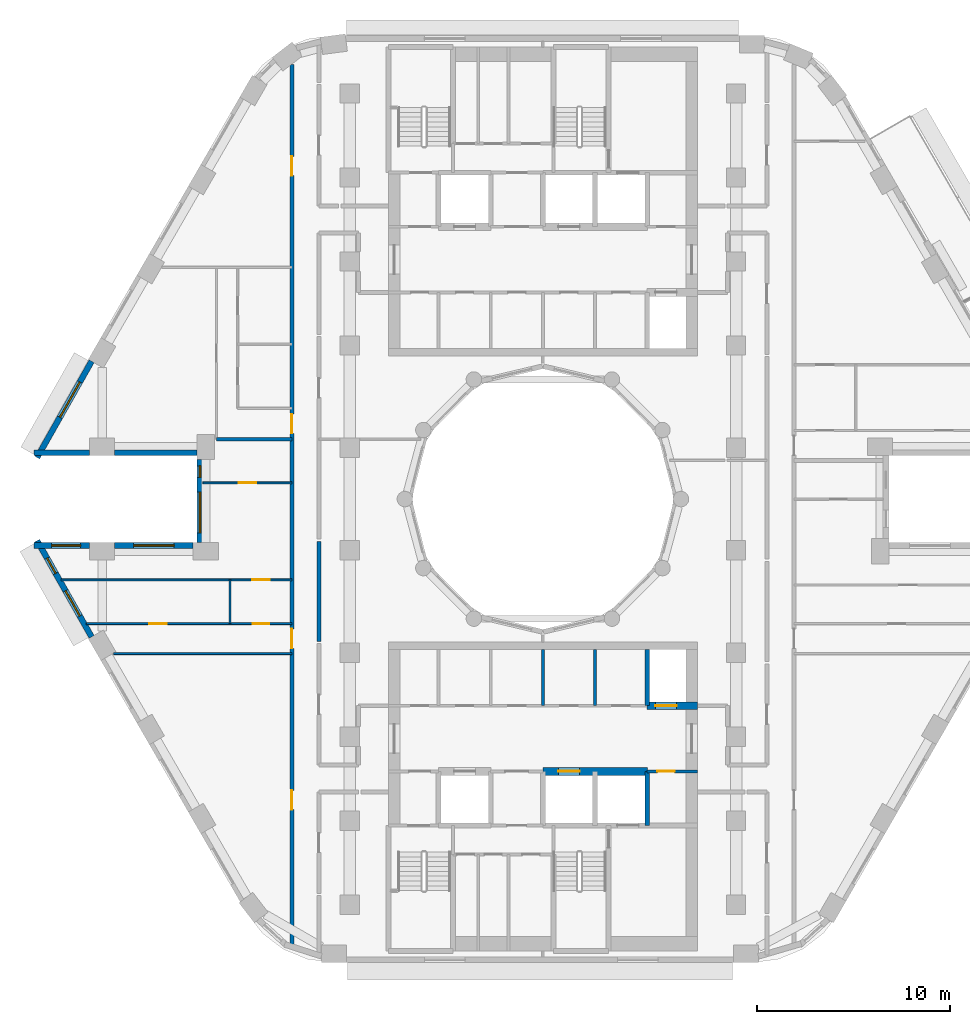
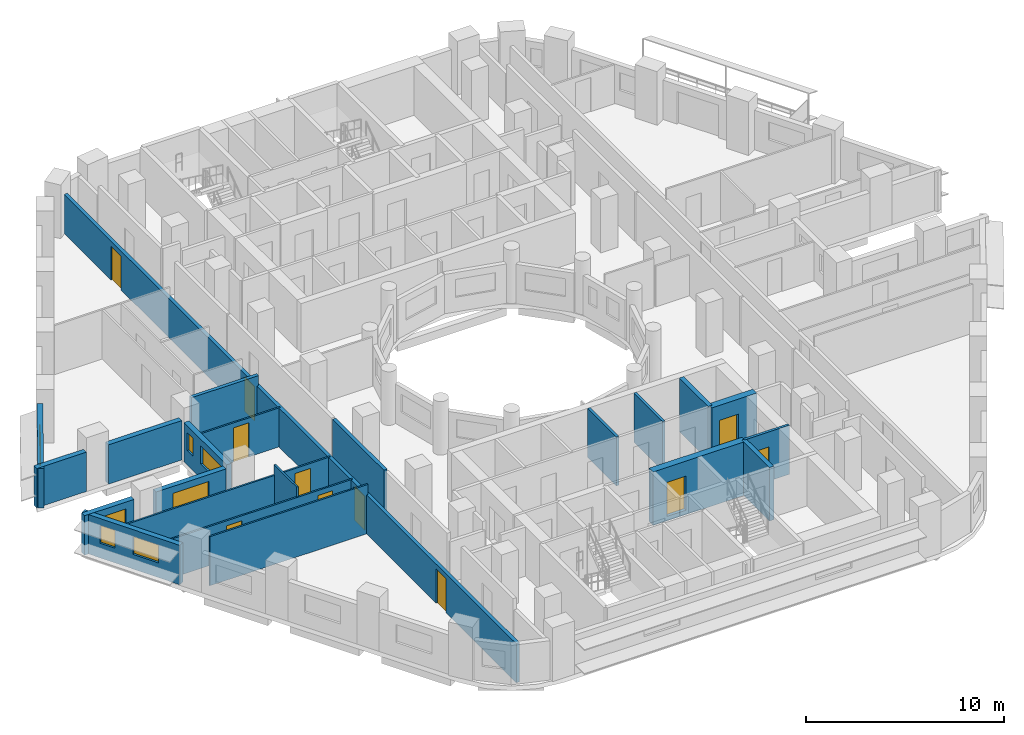
# One storey, part 4 of 14: 22 walls, 11 doors, 7 windows, 18 openings.
"""IFC4 building model written with IfcOpenShell, lengths in metres."""

from ifc_helpers import new_model, si_unit, direction, frame, frame_2d, origin, place, context, subcontext, project, spatial, rectangle, extrude, material, layer, layer_set, type_object, element, fill, save


model = new_model("IFC4")

# Units and contexts
model_context = context("Model", 3, precision=1e-05, world=origin(), true_north=direction((0.0, 1.0)))
body_context = subcontext(model_context, "Body", "Model", "MODEL_VIEW")
ifc_project = project(units=[si_unit("LENGTHUNIT", "METRE"), si_unit("AREAUNIT", "SQUARE_METRE"), si_unit("VOLUMEUNIT", "CUBIC_METRE"), si_unit("PLANEANGLEUNIT", "RADIAN"), si_unit("MASSUNIT", "GRAM", prefix="KILO")], contexts=[model_context])

# Site, building, storey
site_placement = place(None, origin())
site = spatial("IfcSite", under=ifc_project, at=site_placement, CompositionType="ELEMENT")
building_placement = place(site_placement, origin())
building = spatial("IfcBuilding", under=site, at=building_placement, Name="Nakaniwa Court", CompositionType="ELEMENT")
storey_placement = place(building_placement, frame((0.0, 0.0, 160.199951171875)))
storey = spatial("IfcBuildingStorey", under=building, at=storey_placement, Name="L42", CompositionType="ELEMENT", Elevation=160.199951171875)

# Wall
ifc_material_1 = material(Name="Acoustic double stud partition")
ifc_layer_1 = layer(ifc_material_1, 0.199951171875)
ifc_layer_set_1 = layer_set([ifc_layer_1], Name="Acoustic double stud partition")
wall_type_1 = type_object("IfcWallType", Name="Acoustic double stud partition 200", PredefinedType="PARTITIONING", material=ifc_layer_set_1)
wall_1_placement = place(storey_placement, frame((68.39990234375, 72.627197265625, 0.0), z_axis=(0.0, 0.0, 1.0), x_axis=(0.0, 1.0, 0.0)))
element("IfcWall", 1, at=wall_1_placement, inside=storey, type_object=wall_type_1, Name="Partition PW-105", PredefinedType="PARTITIONING", context=body_context, shape_type="SweptSolid", body=[
    extrude(rectangle(XDim=5.185546875, YDim=0.199951171875, at=frame_2d((2.5927734375, 0.0))), origin(), (0.0, 0.0, 1.0), 3.025146484375),
])

# Wall, openings, doors
wall_2_placement = place(storey_placement, frame((67.0, 56.833251953125, 0.0), z_axis=(0.0, 0.0, 1.0), x_axis=(0.0, 1.0, 0.0)))
wall_2 = element("IfcWall", 2, at=wall_2_placement, inside=storey, type_object=wall_type_1, Name="Partition PW-110", PredefinedType="PARTITIONING", context=body_context, shape_type="SweptSolid", body=[
    extrude(rectangle(XDim=45.660888671875, YDim=0.199951171875, at=frame_2d((22.83056640625, 0.0))), origin(), (0.0, 0.0, 1.0), 2.405029296875),
])
opening_1_placement = place(wall_2_placement, frame((7.083984375, 0.0, 0.0)))
opening_1 = element("IfcOpeningElement", 3, at=opening_1_placement, cuts=wall_2, Name="Opening D-02-05", PredefinedType="OPENING", context=body_context, shape_type="SweptSolid", body=[
    extrude(rectangle(XDim=1.0, YDim=2.10009765625, at=frame_2d((0.5, 1.050048828125))), frame((0.0, 0.10986328125, 0.0), z_axis=(0.0, -1.0, 0.0), x_axis=(1.0, 0.0, 0.0)), (0.0, 0.0, 1.0), 0.219970703125),
])
opening_2_placement = place(wall_2_placement, frame((15.44189453125, 0.0, 0.0)))
opening_2 = element("IfcOpeningElement", 4, at=opening_2_placement, cuts=wall_2, Name="Opening D-01-03", PredefinedType="OPENING", context=body_context, shape_type="SweptSolid", body=[
    extrude(rectangle(XDim=1.0, YDim=2.10009765625, at=frame_2d((0.5, 1.050048828125))), frame((0.0, 0.10986328125, 0.0), z_axis=(0.0, -1.0, 0.0), x_axis=(1.0, 0.0, 0.0)), (0.0, 0.0, 1.0), 0.219970703125),
])
opening_3_placement = place(wall_2_placement, frame((26.56689453125, 0.0, 0.0)))
opening_3 = element("IfcOpeningElement", 5, at=opening_3_placement, cuts=wall_2, Name="Opening D-01-04", PredefinedType="OPENING", context=body_context, shape_type="SweptSolid", body=[
    extrude(rectangle(XDim=1.0, YDim=2.10009765625, at=frame_2d((0.5, 1.050048828125))), frame((0.0, 0.10986328125, 0.0), z_axis=(0.0, -1.0, 0.0), x_axis=(1.0, 0.0, 0.0)), (0.0, 0.0, 1.0), 0.219970703125),
])
opening_4_placement = place(wall_2_placement, frame((39.912109375, 0.0, 0.0)))
opening_4 = element("IfcOpeningElement", 6, at=opening_4_placement, cuts=wall_2, Name="Opening D-02-10", PredefinedType="OPENING", context=body_context, shape_type="SweptSolid", body=[
    extrude(rectangle(XDim=1.0, YDim=2.10009765625, at=frame_2d((0.5, 1.050048828125))), frame((0.0, 0.10986328125, 0.0), z_axis=(0.0, -1.0, 0.0), x_axis=(1.0, 0.0, 0.0)), (0.0, 0.0, 1.0), 0.219970703125),
])
ifc_material_2 = material(Name="Solid core timber door set, black veneer", Category="wood")
door_type_1 = type_object("IfcDoorType", Name="Flat entrance door 1000", OperationType="NOTDEFINED", PredefinedType="DOOR", material=ifc_material_2)
door_1_placement = place(opening_2_placement, origin())
door_1 = element("IfcDoor", 7, at=door_1_placement, inside=storey, type_object=door_type_1, Name="Door D-01-03 L42-044", OperationType="SINGLE_SWING_LEFT", OverallHeight=2.10009765625, OverallWidth=1.0, PredefinedType="DOOR", context=body_context, shape_type="SweptSolid", body=[
    extrude(rectangle(XDim=1.0, YDim=2.10009765625, at=frame_2d((0.5, 1.050048828125))), frame((0.0, 0.02490234375, 0.0), z_axis=(0.0, -1.0, 0.0), x_axis=(1.0, 0.0, 0.0)), (0.0, 0.0, 1.0), 0.050048828125),
])
fill(opening_2, door_1)
door_2_placement = place(opening_3_placement, origin())
door_2 = element("IfcDoor", 8, at=door_2_placement, inside=storey, type_object=door_type_1, Name="Door D-01-04 L42-049", OperationType="SINGLE_SWING_RIGHT", OverallHeight=2.10009765625, OverallWidth=1.0, PredefinedType="DOOR", context=body_context, shape_type="SweptSolid", body=[
    extrude(rectangle(XDim=1.0, YDim=2.10009765625, at=frame_2d((0.5, 1.050048828125))), frame((0.0, 0.02490234375, 0.0), z_axis=(0.0, -1.0, 0.0), x_axis=(1.0, 0.0, 0.0)), (0.0, 0.0, 1.0), 0.050048828125),
])
fill(opening_3, door_2)
door_type_2 = type_object("IfcDoorType", Name="Internal door 1000", OperationType="NOTDEFINED", PredefinedType="DOOR", material=ifc_material_2)
door_3_placement = place(opening_1_placement, origin())
door_3 = element("IfcDoor", 9, at=door_3_placement, inside=storey, type_object=door_type_2, Name="Door D-02-05 L42-042", OperationType="SINGLE_SWING_LEFT", OverallHeight=2.10009765625, OverallWidth=1.0, PredefinedType="DOOR", context=body_context, shape_type="SweptSolid", body=[
    extrude(rectangle(XDim=1.0, YDim=2.10009765625, at=frame_2d((0.5, 1.050048828125))), frame((0.0, 0.02490234375, 0.0), z_axis=(0.0, -1.0, 0.0), x_axis=(1.0, 0.0, 0.0)), (0.0, 0.0, 1.0), 0.050048828125),
])
fill(opening_1, door_3)
door_4_placement = place(opening_4_placement, origin())
door_4 = element("IfcDoor", 10, at=door_4_placement, inside=storey, type_object=door_type_2, Name="Door D-02-10 L42-056", OperationType="SINGLE_SWING_LEFT", OverallHeight=2.10009765625, OverallWidth=1.0, PredefinedType="DOOR", context=body_context, shape_type="SweptSolid", body=[
    extrude(rectangle(XDim=1.0, YDim=2.10009765625, at=frame_2d((0.5, 1.050048828125))), frame((0.0, 0.02490234375, 0.0), z_axis=(0.0, -1.0, 0.0), x_axis=(1.0, 0.0, 0.0)), (0.0, 0.0, 1.0), 0.050048828125),
])
fill(opening_4, door_4)

# Wall
wall_3_placement = place(storey_placement, frame((63.095947265625, 83.10009765625, 0.0), z_axis=(0.0, 0.0, 1.0), x_axis=(1.0, 0.0, 0.0)))
element("IfcWall", 11, at=wall_3_placement, inside=storey, type_object=wall_type_1, Name="Partition PW-137", PredefinedType="PARTITIONING", context=body_context, shape_type="SweptSolid", body=[
    extrude(rectangle(XDim=3.903076171875, YDim=0.199951171875, at=frame_2d((1.95166015625, 0.0))), origin(), (0.0, 0.0, 1.0), 3.025146484375),
])

# Wall, opening, window
ifc_material_3 = material(Name="Charcoal ceramic cladding")
ifc_layer_2 = layer(ifc_material_3, 0.02, Name="Ceramic cladding")
ifc_material_4 = material(Name="Ventilated air cavity")
ifc_layer_3 = layer(ifc_material_4, 0.04, ventilated=True, Name="Ventilated cavity")
ifc_material_5 = material(Name="Mineral wool insulation")
ifc_layer_4 = layer(ifc_material_5, 0.1, Name="Insulation")
ifc_material_6 = material(Name="Cement bonded sheathing board")
ifc_layer_5 = layer(ifc_material_6, 0.012, Name="Sheathing")
ifc_material_7 = material(Name="Cold-formed galvanised stud frame with mineral wool infill")
ifc_layer_6 = layer(ifc_material_7, 0.1, Name="Stud frame")
ifc_material_8 = material(Name="Fire-rated gypsum plasterboard lining")
ifc_layer_7 = layer(ifc_material_8, 0.028, Name="Lining")
ifc_layer_set_2 = layer_set([ifc_layer_2, ifc_layer_3, ifc_layer_4, ifc_layer_5, ifc_layer_6, ifc_layer_7], Name="Charcoal ceramic faced external wall system")
wall_type_2 = type_object("IfcWallType", Name="Black ceramic faced external wall 300", PredefinedType="SOLIDWALL", material=ifc_layer_set_2)
wall_4_placement = place(storey_placement, frame((56.63427734375, 87.13720703125, 0.0), z_axis=(0.0, 0.0, 1.0), x_axis=(-0.492498306264, -0.87031340236, 0.0)))
wall_4 = element("IfcWall", 12, at=wall_4_placement, inside=storey, type_object=wall_type_2, Name="L42 external wall 14", PredefinedType="SOLIDWALL", context=body_context, shape_type="SweptSolid", body=[
    extrude(rectangle(XDim=5.7265625, YDim=0.300048828125, at=frame_2d((2.86328125, 0.0))), origin(), (0.0, 0.0, 1.0), 2.425048828125),
])
opening_5_placement = place(wall_4_placement, frame((1.23388671875, 0.0, 0.89990234375)))
opening_5 = element("IfcOpeningElement", 13, at=opening_5_placement, cuts=wall_4, Name="Opening W7.12", PredefinedType="OPENING", context=body_context, shape_type="SweptSolid", body=[
    extrude(rectangle(XDim=2.10009765625, YDim=1.10009765625, at=frame_2d((1.050048828125, 0.550048828125))), frame((0.0, 0.159912109375, 0.0), z_axis=(0.0, -1.0, 0.0), x_axis=(1.0, 0.0, 0.0)), (0.0, 0.0, 1.0), 0.320068359375),
])
ifc_material_9 = material(Name="Black anodised aluminium frame with dark low-E laminated double glazing", Category="aluminium")
window_type_1 = type_object("IfcWindowType", Name="Dark glass window 2100x1100 sill 900", PartitioningType="SINGLE_PANEL", PredefinedType="WINDOW", material=ifc_material_9)
window_1_placement = place(opening_5_placement, origin())
window_1 = element("IfcWindow", 14, at=window_1_placement, inside=storey, type_object=window_type_1, Name="L42 living window 14-0", OverallHeight=1.10009765625, OverallWidth=2.10009765625, PartitioningType="SINGLE_PANEL", PredefinedType="WINDOW", context=body_context, shape_type="SweptSolid", body=[
    extrude(rectangle(XDim=2.10009765625, YDim=1.10009765625, at=frame_2d((1.050048828125, 0.550048828125))), frame((0.0, 0.030029296875, 0.0), z_axis=(0.0, -1.0, 0.0), x_axis=(1.0, 0.0, 0.0)), (0.0, 0.0, 1.0), 0.06005859375),
])
fill(opening_5, window_1)

# Walls
wall_5_placement = place(storey_placement, frame((53.643310546875, 82.39990234375, 0.0), z_axis=(0.0, 0.0, 1.0), x_axis=(1.0, 0.0, 0.0)))
element("IfcWall", 15, at=wall_5_placement, inside=storey, type_object=wall_type_2, Name="L42 external wall 15", PredefinedType="SOLIDWALL", context=body_context, shape_type="SweptSolid", body=[
    extrude(rectangle(XDim=2.8876953125, YDim=0.300048828125, at=frame_2d((1.44384765625, 0.0))), origin(), (0.0, 0.0, 1.0), 2.425048828125),
])
wall_6_placement = place(storey_placement, frame((57.822998046875, 82.39990234375, 0.0), z_axis=(0.0, 0.0, 1.0), x_axis=(1.0, 0.0, 0.0)))
element("IfcWall", 16, at=wall_6_placement, inside=storey, type_object=wall_type_2, Name="L42 external wall 16", PredefinedType="SOLIDWALL", context=body_context, shape_type="SweptSolid", body=[
    extrude(rectangle(XDim=4.272705078125, YDim=0.300048828125, at=frame_2d((2.13623046875, 0.0))), origin(), (0.0, 0.0, 1.0), 2.425048828125),
])

# Wall, openings, windows
wall_7_placement = place(storey_placement, frame((62.24169921875, 82.053955078125, 0.0), z_axis=(0.0, 0.0, 1.0), x_axis=(0.0, -1.0, 0.0)))
wall_7 = element("IfcWall", 17, at=wall_7_placement, inside=storey, type_object=wall_type_2, Name="L42 external wall 17", PredefinedType="SOLIDWALL", context=body_context, shape_type="SweptSolid", body=[
    extrude(rectangle(XDim=4.307861328125, YDim=0.300048828125, at=frame_2d((2.15380859375, 0.0))), origin(), (0.0, 0.0, 1.0), 2.425048828125),
])
opening_6_placement = place(wall_7_placement, frame((0.3330078125, 0.0, 0.89990234375)))
opening_6 = element("IfcOpeningElement", 18, at=opening_6_placement, cuts=wall_7, Name="Opening W8.13", PredefinedType="OPENING", context=body_context, shape_type="SweptSolid", body=[
    extrude(rectangle(XDim=0.60009765625, YDim=1.10009765625, at=frame_2d((0.300048828125, 0.550048828125))), frame((0.0, 0.159912109375, 0.0), z_axis=(0.0, -1.0, 0.0), x_axis=(1.0, 0.0, 0.0)), (0.0, 0.0, 1.0), 0.320068359375),
])
opening_7_placement = place(wall_7_placement, frame((1.699951171875, 0.0, 0.89990234375)))
opening_7 = element("IfcOpeningElement", 19, at=opening_7_placement, cuts=wall_7, Name="Opening W7.14", PredefinedType="OPENING", context=body_context, shape_type="SweptSolid", body=[
    extrude(rectangle(XDim=2.10009765625, YDim=1.10009765625, at=frame_2d((1.050048828125, 0.550048828125))), frame((0.0, 0.159912109375, 0.0), z_axis=(0.0, -1.0, 0.0), x_axis=(1.0, 0.0, 0.0)), (0.0, 0.0, 1.0), 0.320068359375),
])
window_2_placement = place(opening_7_placement, origin())
window_2 = element("IfcWindow", 20, at=window_2_placement, inside=storey, type_object=window_type_1, Name="L42 living window 17-1", OverallHeight=1.10009765625, OverallWidth=2.10009765625, PartitioningType="SINGLE_PANEL", PredefinedType="WINDOW", context=body_context, shape_type="SweptSolid", body=[
    extrude(rectangle(XDim=2.10009765625, YDim=1.10009765625, at=frame_2d((1.050048828125, 0.550048828125))), frame((0.0, 0.030029296875, 0.0), z_axis=(0.0, -1.0, 0.0), x_axis=(1.0, 0.0, 0.0)), (0.0, 0.0, 1.0), 0.06005859375),
])
fill(opening_7, window_2)
window_type_2 = type_object("IfcWindowType", Name="Dark glass window 600x1100 sill 900", PartitioningType="SINGLE_PANEL", PredefinedType="WINDOW", material=ifc_material_9)
window_3_placement = place(opening_6_placement, origin())
window_3 = element("IfcWindow", 21, at=window_3_placement, inside=storey, type_object=window_type_2, Name="L42 habitable room window 17-0", OverallHeight=1.10009765625, OverallWidth=0.60009765625, PartitioningType="SINGLE_PANEL", PredefinedType="WINDOW", context=body_context, shape_type="SweptSolid", body=[
    extrude(rectangle(XDim=0.60009765625, YDim=1.10009765625, at=frame_2d((0.300048828125, 0.550048828125))), frame((0.0, 0.030029296875, 0.0), z_axis=(0.0, -1.0, 0.0), x_axis=(1.0, 0.0, 0.0)), (0.0, 0.0, 1.0), 0.06005859375),
])
fill(opening_6, window_3)

# Wall, opening, window
wall_8_placement = place(storey_placement, frame((61.8955078125, 77.60009765625, 0.0), z_axis=(0.0, 0.0, 1.0), x_axis=(-1.0, 0.0, 0.0)))
wall_8 = element("IfcWall", 22, at=wall_8_placement, inside=storey, type_object=wall_type_2, Name="L42 external wall 18", PredefinedType="SOLIDWALL", context=body_context, shape_type="SweptSolid", body=[
    extrude(rectangle(XDim=4.072509765625, YDim=0.300048828125, at=frame_2d((2.0361328125, 0.0))), origin(), (0.0, 0.0, 1.0), 2.425048828125),
])
opening_8_placement = place(wall_8_placement, frame((0.986083984375, 0.0, 0.89990234375)))
opening_8 = element("IfcOpeningElement", 23, at=opening_8_placement, cuts=wall_8, Name="Opening W7.15", PredefinedType="OPENING", context=body_context, shape_type="SweptSolid", body=[
    extrude(rectangle(XDim=2.10009765625, YDim=1.10009765625, at=frame_2d((1.050048828125, 0.550048828125))), frame((0.0, 0.159912109375, 0.0), z_axis=(0.0, -1.0, 0.0), x_axis=(1.0, 0.0, 0.0)), (0.0, 0.0, 1.0), 0.320068359375),
])
window_4_placement = place(opening_8_placement, origin())
window_4 = element("IfcWindow", 24, at=window_4_placement, inside=storey, type_object=window_type_1, Name="L42 living window 18-0", OverallHeight=1.10009765625, OverallWidth=2.10009765625, PartitioningType="SINGLE_PANEL", PredefinedType="WINDOW", context=body_context, shape_type="SweptSolid", body=[
    extrude(rectangle(XDim=2.10009765625, YDim=1.10009765625, at=frame_2d((1.050048828125, 0.550048828125))), frame((0.0, 0.030029296875, 0.0), z_axis=(0.0, -1.0, 0.0), x_axis=(1.0, 0.0, 0.0)), (0.0, 0.0, 1.0), 0.06005859375),
])
fill(opening_8, window_4)

wall_9_placement = place(storey_placement, frame((56.531005859375, 77.60009765625, 0.0), z_axis=(0.0, 0.0, 1.0), x_axis=(-1.0, 0.0, 0.0)))
wall_9 = element("IfcWall", 25, at=wall_9_placement, inside=storey, type_object=wall_type_2, Name="L42 external wall 19", PredefinedType="SOLIDWALL", context=body_context, shape_type="SweptSolid", body=[
    extrude(rectangle(XDim=2.8876953125, YDim=0.300048828125, at=frame_2d((1.44384765625, 0.0))), origin(), (0.0, 0.0, 1.0), 2.425048828125),
])
opening_9_placement = place(wall_9_placement, frame((0.468994140625, 0.0, 0.89990234375)))
opening_9 = element("IfcOpeningElement", 26, at=opening_9_placement, cuts=wall_9, Name="Opening W5.16", PredefinedType="OPENING", context=body_context, shape_type="SweptSolid", body=[
    extrude(rectangle(XDim=1.5, YDim=1.10009765625, at=frame_2d((0.75, 0.550048828125))), frame((0.0, 0.159912109375, 0.0), z_axis=(0.0, -1.0, 0.0), x_axis=(1.0, 0.0, 0.0)), (0.0, 0.0, 1.0), 0.320068359375),
])
window_type_3 = type_object("IfcWindowType", Name="Dark glass window 1500x1100 sill 900", PartitioningType="SINGLE_PANEL", PredefinedType="WINDOW", material=ifc_material_9)
window_5_placement = place(opening_9_placement, origin())
window_5 = element("IfcWindow", 27, at=window_5_placement, inside=storey, type_object=window_type_3, Name="L42 living window 19-0", OverallHeight=1.10009765625, OverallWidth=1.5, PartitioningType="SINGLE_PANEL", PredefinedType="WINDOW", context=body_context, shape_type="SweptSolid", body=[
    extrude(rectangle(XDim=1.5, YDim=1.10009765625, at=frame_2d((0.75, 0.550048828125))), frame((0.0, 0.030029296875, 0.0), z_axis=(0.0, -1.0, 0.0), x_axis=(1.0, 0.0, 0.0)), (0.0, 0.0, 1.0), 0.06005859375),
])
fill(opening_9, window_5)

# Wall, openings, windows
wall_10_placement = place(storey_placement, frame((53.81396484375, 77.8466796875, 0.0), z_axis=(0.0, 0.0, 1.0), x_axis=(0.492498306264, -0.87031340236, 0.0)))
wall_10 = element("IfcWall", 28, at=wall_10_placement, inside=storey, type_object=wall_type_2, Name="L42 external wall 20", PredefinedType="SOLIDWALL", context=body_context, shape_type="SweptSolid", body=[
    extrude(rectangle(XDim=5.7265625, YDim=0.300048828125, at=frame_2d((2.86328125, 0.0))), origin(), (0.0, 0.0, 1.0), 2.425048828125),
])
opening_10_placement = place(wall_10_placement, frame((1.043212890625, 0.0, 0.89990234375)))
opening_10 = element("IfcOpeningElement", 29, at=opening_10_placement, cuts=wall_10, Name="Opening W9.17", PredefinedType="OPENING", context=body_context, shape_type="SweptSolid", body=[
    extrude(rectangle(XDim=0.89990234375, YDim=1.10009765625, at=frame_2d((0.449951171875, 0.550048828125))), frame((0.0, 0.159912109375, 0.0), z_axis=(0.0, -1.0, 0.0), x_axis=(1.0, 0.0, 0.0)), (0.0, 0.0, 1.0), 0.320068359375),
])
opening_11_placement = place(wall_10_placement, frame((2.983642578125, 0.0, 0.89990234375)))
opening_11 = element("IfcOpeningElement", 30, at=opening_11_placement, cuts=wall_10, Name="Opening W5.18", PredefinedType="OPENING", context=body_context, shape_type="SweptSolid", body=[
    extrude(rectangle(XDim=1.5, YDim=1.10009765625, at=frame_2d((0.75, 0.550048828125))), frame((0.0, 0.159912109375, 0.0), z_axis=(0.0, -1.0, 0.0), x_axis=(1.0, 0.0, 0.0)), (0.0, 0.0, 1.0), 0.320068359375),
])
window_6_placement = place(opening_11_placement, origin())
window_6 = element("IfcWindow", 31, at=window_6_placement, inside=storey, type_object=window_type_3, Name="L42 habitable room window 20-1", OverallHeight=1.10009765625, OverallWidth=1.5, PartitioningType="SINGLE_PANEL", PredefinedType="WINDOW", context=body_context, shape_type="SweptSolid", body=[
    extrude(rectangle(XDim=1.5, YDim=1.10009765625, at=frame_2d((0.75, 0.550048828125))), frame((0.0, 0.030029296875, 0.0), z_axis=(0.0, -1.0, 0.0), x_axis=(1.0, 0.0, 0.0)), (0.0, 0.0, 1.0), 0.06005859375),
])
fill(opening_11, window_6)
window_type_4 = type_object("IfcWindowType", Name="Dark glass window 900x1100 sill 900", PartitioningType="SINGLE_PANEL", PredefinedType="WINDOW", material=ifc_material_9)
window_7_placement = place(opening_10_placement, origin())
window_7 = element("IfcWindow", 32, at=window_7_placement, inside=storey, type_object=window_type_4, Name="L42 living window 20-0", OverallHeight=1.10009765625, OverallWidth=0.89990234375, PartitioningType="SINGLE_PANEL", PredefinedType="WINDOW", context=body_context, shape_type="SweptSolid", body=[
    extrude(rectangle(XDim=0.89990234375, YDim=1.10009765625, at=frame_2d((0.449951171875, 0.550048828125))), frame((0.0, 0.030029296875, 0.0), z_axis=(0.0, -1.0, 0.0), x_axis=(1.0, 0.0, 0.0)), (0.0, 0.0, 1.0), 0.06005859375),
])
fill(opening_10, window_7)

# Walls
ifc_material_10 = material(Name="Blockwork partition", Category="masonry")
ifc_layer_8 = layer(ifc_material_10, 0.14990234375)
ifc_layer_set_3 = layer_set([ifc_layer_8], Name="Blockwork partition")
wall_type_3 = type_object("IfcWallType", Name="Blockwork partition 150", PredefinedType="PARTITIONING", material=ifc_layer_set_3)
for number, where, z_axis, x_axis, name in (
    (33, (80.0, 69.300048828125, 0.0), (0.0, 0.0, 1.0), (0.0, 1.0, 0.0), "Partition PW-045"),
    (34, (82.699951171875, 69.300048828125, 0.0), (0.0, 0.0, 1.0), (0.0, 1.0, 0.0), "Partition PW-046"),
):
    element("IfcWall", number, at=place(storey_placement, frame(where, z_axis=z_axis, x_axis=x_axis)), inside=storey, type_object=wall_type_3, Name=name, PredefinedType="PARTITIONING", context=body_context, shape_type="SweptSolid", body=[
        extrude(rectangle(XDim=2.89990234375, YDim=0.14990234375, at=frame_2d((1.449951171875, 0.0))), origin(), (0.0, 0.0, 1.0), 3.025146484375),
    ])

# Wall, opening, door
wall_11_placement = place(storey_placement, frame((88.0, 65.89990234375, 0.0), z_axis=(0.0, 0.0, 1.0), x_axis=(-1.0, 0.0, 0.0)))
wall_11 = element("IfcWall", 35, at=wall_11_placement, inside=storey, type_object=wall_type_3, Name="Partition PW-049", PredefinedType="PARTITIONING", context=body_context, shape_type="SweptSolid", body=[
    extrude(rectangle(XDim=2.60302734375, YDim=0.14990234375, at=frame_2d((1.301513671875, 0.0))), origin(), (0.0, 0.0, 1.0), 3.025146484375),
])
opening_12_placement = place(wall_11_placement, frame((1.175048828125, 0.0, 0.0)))
opening_12 = element("IfcOpeningElement", 36, at=opening_12_placement, cuts=wall_11, Name="Opening D-05-15", PredefinedType="OPENING", context=body_context, shape_type="SweptSolid", body=[
    extrude(rectangle(XDim=0.89990234375, YDim=2.10009765625, at=frame_2d((0.449951171875, 1.050048828125))), frame((0.0, 0.0849609375, 0.0), z_axis=(0.0, -1.0, 0.0), x_axis=(1.0, 0.0, 0.0)), (0.0, 0.0, 1.0), 0.169921875),
])
ifc_material_11 = material(Name="Fire rated steel door set", Category="steel")
door_type_3 = type_object("IfcDoorType", Name="Service room door 900", OperationType="NOTDEFINED", PredefinedType="DOOR", material=ifc_material_11)
door_5_placement = place(opening_12_placement, origin())
door_5 = element("IfcDoor", 37, at=door_5_placement, inside=storey, type_object=door_type_3, Name="Door D-05-15 L42-022", OperationType="SINGLE_SWING_LEFT", OverallHeight=2.10009765625, OverallWidth=0.89990234375, PredefinedType="DOOR", context=body_context, shape_type="SweptSolid", body=[
    extrude(rectangle(XDim=0.89990234375, YDim=2.10009765625, at=frame_2d((0.449951171875, 1.050048828125))), frame((0.0, 0.02490234375, 0.0), z_axis=(0.0, -1.0, 0.0), x_axis=(1.0, 0.0, 0.0)), (0.0, 0.0, 1.0), 0.050048828125),
])
fill(opening_12, door_5)

ifc_material_12 = material(Name="Concrete C80/100", Category="concrete")
ifc_layer_9 = layer(ifc_material_12, 0.39990234375)
ifc_layer_set_4 = layer_set([ifc_layer_9], Name="Concrete C80/100")
wall_type_4 = type_object("IfcWallType", Name="Concrete core spine wall 400 C80", PredefinedType="SHEAR", material=ifc_layer_set_4)
wall_12_placement = place(storey_placement, frame((85.39990234375, 69.300048828125, -0.27490234375), z_axis=(0.0, 0.0, 1.0), x_axis=(1.0, 0.0, 0.0)))
wall_12 = element("IfcWall", 38, at=wall_12_placement, inside=storey, type_object=wall_type_4, Name="Core wall SW-42", PredefinedType="SHEAR", context=body_context, shape_type="SweptSolid", body=[
    extrude(rectangle(XDim=2.60009765625, YDim=0.39990234375, at=frame_2d((1.300048828125, 0.0))), origin(), (0.0, 0.0, 1.0), 3.300048828125),
])
opening_13_placement = place(wall_12_placement, frame((0.425048828125, 0.0, 0.27490234375)))
opening_13 = element("IfcOpeningElement", 39, at=opening_13_placement, cuts=wall_12, Name="Opening LD05", PredefinedType="OPENING", context=body_context, shape_type="SweptSolid", body=[
    extrude(rectangle(XDim=1.10009765625, YDim=2.10009765625, at=frame_2d((0.550048828125, 1.050048828125))), frame((0.0, 0.2099609375, 0.0), z_axis=(0.0, -1.0, 0.0), x_axis=(1.0, 0.0, 0.0)), (0.0, 0.0, 1.0), 0.419921875),
])
ifc_material_13 = material(Name="Stainless steel sliding lift landing door", Category="steel")
door_type_4 = type_object("IfcDoorType", Name="Lift landing door 1100", OperationType="NOTDEFINED", PredefinedType="DOOR", material=ifc_material_13)
door_6_placement = place(opening_13_placement, origin())
door_6 = element("IfcDoor", 40, at=door_6_placement, inside=storey, type_object=door_type_4, Name="Lift landing door LD05 L42-005", OperationType="SLIDING_TO_LEFT", OverallHeight=2.10009765625, OverallWidth=1.10009765625, PredefinedType="DOOR", context=body_context, shape_type="SweptSolid", body=[
    extrude(rectangle(XDim=1.10009765625, YDim=2.10009765625, at=frame_2d((0.550048828125, 1.050048828125))), frame((0.0, 0.02490234375, 0.0), z_axis=(0.0, -1.0, 0.0), x_axis=(1.0, 0.0, 0.0)), (0.0, 0.0, 1.0), 0.050048828125),
])
fill(opening_13, door_6)

wall_13_placement = place(storey_placement, frame((79.9970703125, 65.89990234375, -0.27490234375), z_axis=(0.0, 0.0, 1.0), x_axis=(1.0, 0.0, 0.0)))
wall_13 = element("IfcWall", 41, at=wall_13_placement, inside=storey, type_object=wall_type_4, Name="Core wall SW-51", PredefinedType="SHEAR", context=body_context, shape_type="SweptSolid", body=[
    extrude(rectangle(XDim=5.406005859375, YDim=0.39990234375, at=frame_2d((2.703125, 0.0))), origin(), (0.0, 0.0, 1.0), 3.300048828125),
])
opening_14_placement = place(wall_13_placement, frame((0.802978515625, 0.0, 0.27490234375)))
opening_14 = element("IfcOpeningElement", 42, at=opening_14_placement, cuts=wall_13, Name="Opening LD07", PredefinedType="OPENING", context=body_context, shape_type="SweptSolid", body=[
    extrude(rectangle(XDim=1.10009765625, YDim=2.10009765625, at=frame_2d((0.550048828125, 1.050048828125))), frame((0.0, 0.2099609375, 0.0), z_axis=(0.0, -1.0, 0.0), x_axis=(1.0, 0.0, 0.0)), (0.0, 0.0, 1.0), 0.419921875),
])
door_7_placement = place(opening_14_placement, origin())
door_7 = element("IfcDoor", 43, at=door_7_placement, inside=storey, type_object=door_type_4, Name="Lift landing door LD07 L42-007", OperationType="SLIDING_TO_LEFT", OverallHeight=2.10009765625, OverallWidth=1.10009765625, PredefinedType="DOOR", context=body_context, shape_type="SweptSolid", body=[
    extrude(rectangle(XDim=1.10009765625, YDim=2.10009765625, at=frame_2d((0.550048828125, 1.050048828125))), frame((0.0, 0.02490234375, 0.0), z_axis=(0.0, -1.0, 0.0), x_axis=(1.0, 0.0, 0.0)), (0.0, 0.0, 1.0), 0.050048828125),
])
fill(opening_14, door_7)

# Walls
ifc_layer_10 = layer(ifc_material_12, 0.25)
ifc_layer_set_5 = layer_set([ifc_layer_10], Name="Concrete C80/100")
wall_type_5 = type_object("IfcWallType", Name="Concrete shaft wall 250 C80", PredefinedType="SHEAR", material=ifc_layer_set_5)
wall_14_placement = place(storey_placement, frame((85.39990234375, 63.10009765625, -0.27490234375), z_axis=(0.0, 0.0, 1.0), x_axis=(0.0, 1.0, 0.0)))
element("IfcWall", 44, at=wall_14_placement, inside=storey, type_object=wall_type_5, Name="Core wall SW-40", PredefinedType="SHEAR", context=body_context, shape_type="SweptSolid", body=[
    extrude(rectangle(XDim=2.7998046875, YDim=0.25, at=frame_2d((1.39990234375, 0.0))), origin(), (0.0, 0.0, 1.0), 3.300048828125),
])
wall_15_placement = place(storey_placement, frame((85.39990234375, 69.300048828125, -0.27490234375), z_axis=(0.0, 0.0, 1.0), x_axis=(0.0, 1.0, 0.0)))
element("IfcWall", 45, at=wall_15_placement, inside=storey, type_object=wall_type_5, Name="Core wall SW-41", PredefinedType="SHEAR", context=body_context, shape_type="SweptSolid", body=[
    extrude(rectangle(XDim=2.89990234375, YDim=0.25, at=frame_2d((1.449951171875, 0.0))), origin(), (0.0, 0.0, 1.0), 3.300048828125),
])
ifc_material_14 = material(Name="Single stud plasterboard partition")
ifc_layer_11 = layer(ifc_material_14, 0.10009765625)
ifc_layer_set_6 = layer_set([ifc_layer_11], Name="Single stud plasterboard partition")
wall_type_6 = type_object("IfcWallType", Name="Single stud plasterboard partition 100", PredefinedType="PARTITIONING", material=ifc_layer_set_6)
wall_16_placement = place(storey_placement, frame((57.771728515625, 72.0, 0.0), z_axis=(0.0, 0.0, 1.0), x_axis=(1.0, 0.0, 0.0)))
element("IfcWall", 46, at=wall_16_placement, inside=storey, type_object=wall_type_6, Name="Partition PW-119", PredefinedType="PARTITIONING", context=body_context, shape_type="SweptSolid", body=[
    extrude(rectangle(XDim=9.22705078125, YDim=0.10009765625, at=frame_2d((4.613525390625, 0.0))), origin(), (0.0, 0.0, 1.0), 3.025146484375),
])

# Wall, openings, doors
wall_17_placement = place(storey_placement, frame((56.357421875, 73.550048828125, 0.0), z_axis=(0.0, 0.0, 1.0), x_axis=(1.0, 0.0, 0.0)))
wall_17 = element("IfcWall", 47, at=wall_17_placement, inside=storey, type_object=wall_type_6, Name="Partition PW-123", PredefinedType="PARTITIONING", context=body_context, shape_type="SweptSolid", body=[
    extrude(rectangle(XDim=10.6416015625, YDim=0.10009765625, at=frame_2d((5.32080078125, 0.0))), origin(), (0.0, 0.0, 1.0), 2.405029296875),
])
opening_15_placement = place(wall_17_placement, frame((8.616943359375, 0.0, 0.0)))
opening_15 = element("IfcOpeningElement", 48, at=opening_15_placement, cuts=wall_17, Name="Opening D-03-03", PredefinedType="OPENING", context=body_context, shape_type="SweptSolid", body=[
    extrude(rectangle(XDim=0.85009765625, YDim=2.10009765625, at=frame_2d((0.425048828125, 1.050048828125))), frame((0.0, 0.06005859375, 0.0), z_axis=(0.0, -1.0, 0.0), x_axis=(1.0, 0.0, 0.0)), (0.0, 0.0, 1.0), 0.1201171875),
])
opening_16_placement = place(wall_17_placement, frame((3.27099609375, 0.0, 0.0)))
opening_16 = element("IfcOpeningElement", 49, at=opening_16_placement, cuts=wall_17, Name="Opening D-33-06", PredefinedType="OPENING", context=body_context, shape_type="SweptSolid", body=[
    extrude(rectangle(XDim=0.89990234375, YDim=2.10009765625, at=frame_2d((0.449951171875, 1.050048828125))), frame((0.0, 0.06005859375, 0.0), z_axis=(0.0, -1.0, 0.0), x_axis=(1.0, 0.0, 0.0)), (0.0, 0.0, 1.0), 0.1201171875),
])
ifc_material_15 = material(Name="Moisture sealed timber door set", Category="wood")
door_type_5 = type_object("IfcDoorType", Name="Bathroom door 850", OperationType="NOTDEFINED", PredefinedType="DOOR", material=ifc_material_15)
door_8_placement = place(opening_15_placement, origin())
door_8 = element("IfcDoor", 50, at=door_8_placement, inside=storey, type_object=door_type_5, Name="Door D-03-03 L42-045", OperationType="SINGLE_SWING_RIGHT", OverallHeight=2.10009765625, OverallWidth=0.85009765625, PredefinedType="DOOR", context=body_context, shape_type="SweptSolid", body=[
    extrude(rectangle(XDim=0.85009765625, YDim=2.10009765625, at=frame_2d((0.425048828125, 1.050048828125))), frame((0.0, 0.02490234375, 0.0), z_axis=(0.0, -1.0, 0.0), x_axis=(1.0, 0.0, 0.0)), (0.0, 0.0, 1.0), 0.050048828125),
])
fill(opening_15, door_8)
door_type_6 = type_object("IfcDoorType", Name="Internal door 900", OperationType="NOTDEFINED", PredefinedType="DOOR", material=ifc_material_2)
door_9_placement = place(opening_16_placement, origin())
door_9 = element("IfcDoor", 51, at=door_9_placement, inside=storey, type_object=door_type_6, Name="Door D-33-06 L42-046", OperationType="SINGLE_SWING_LEFT", OverallHeight=2.10009765625, OverallWidth=0.89990234375, PredefinedType="DOOR", context=body_context, shape_type="SweptSolid", body=[
    extrude(rectangle(XDim=0.89990234375, YDim=2.10009765625, at=frame_2d((0.449951171875, 1.050048828125))), frame((0.0, 0.02490234375, 0.0), z_axis=(0.0, -1.0, 0.0), x_axis=(1.0, 0.0, 0.0)), (0.0, 0.0, 1.0), 0.050048828125),
])
fill(opening_16, door_9)

# Wall
wall_18_placement = place(storey_placement, frame((63.799072265625, 73.550048828125, 0.0), z_axis=(0.0, 0.0, 1.0), x_axis=(0.0, 1.0, 0.0)))
element("IfcWall", 52, at=wall_18_placement, inside=storey, type_object=wall_type_6, Name="Partition PW-134", PredefinedType="PARTITIONING", context=body_context, shape_type="SweptSolid", body=[
    extrude(rectangle(XDim=2.26171875, YDim=0.10009765625, at=frame_2d((1.130859375, 0.0))), origin(), (0.0, 0.0, 1.0), 3.025146484375),
])

# Wall, opening, door
wall_19_placement = place(storey_placement, frame((55.051513671875, 75.81201171875, 0.0), z_axis=(0.0, 0.0, 1.0), x_axis=(1.0, 0.0, 0.0)))
wall_19 = element("IfcWall", 53, at=wall_19_placement, inside=storey, type_object=wall_type_6, Name="Partition PW-135", PredefinedType="PARTITIONING", context=body_context, shape_type="SweptSolid", body=[
    extrude(rectangle(XDim=11.947509765625, YDim=0.10009765625, at=frame_2d((5.9736328125, 0.0))), origin(), (0.0, 0.0, 1.0), 2.405029296875),
])
opening_17_placement = place(wall_19_placement, frame((9.89599609375, 0.0, 0.0)))
opening_17 = element("IfcOpeningElement", 54, at=opening_17_placement, cuts=wall_19, Name="Opening D-33-07", PredefinedType="OPENING", context=body_context, shape_type="SweptSolid", body=[
    extrude(rectangle(XDim=0.89990234375, YDim=2.10009765625, at=frame_2d((0.449951171875, 1.050048828125))), frame((0.0, 0.06005859375, 0.0), z_axis=(0.0, -1.0, 0.0), x_axis=(1.0, 0.0, 0.0)), (0.0, 0.0, 1.0), 0.1201171875),
])
door_10_placement = place(opening_17_placement, origin())
door_10 = element("IfcDoor", 55, at=door_10_placement, inside=storey, type_object=door_type_6, Name="Door D-33-07 L42-047", OperationType="SINGLE_SWING_RIGHT", OverallHeight=2.10009765625, OverallWidth=0.89990234375, PredefinedType="DOOR", context=body_context, shape_type="SweptSolid", body=[
    extrude(rectangle(XDim=0.89990234375, YDim=2.10009765625, at=frame_2d((0.449951171875, 1.050048828125))), frame((0.0, 0.02490234375, 0.0), z_axis=(0.0, -1.0, 0.0), x_axis=(1.0, 0.0, 0.0)), (0.0, 0.0, 1.0), 0.050048828125),
])
fill(opening_17, door_10)

wall_20_placement = place(storey_placement, frame((62.3916015625, 80.837890625, 0.0), z_axis=(0.0, 0.0, 1.0), x_axis=(1.0, 0.0, 0.0)))
wall_20 = element("IfcWall", 56, at=wall_20_placement, inside=storey, type_object=wall_type_6, Name="Partition PW-136", PredefinedType="PARTITIONING", context=body_context, shape_type="SweptSolid", body=[
    extrude(rectangle(XDim=4.607421875, YDim=0.10009765625, at=frame_2d((2.3037109375, 0.0))), origin(), (0.0, 0.0, 1.0), 2.405029296875),
])
opening_18_placement = place(wall_20_placement, frame((1.85400390625, 0.0, 0.0)))
opening_18 = element("IfcOpeningElement", 57, at=opening_18_placement, cuts=wall_20, Name="Opening D-33-08", PredefinedType="OPENING", context=body_context, shape_type="SweptSolid", body=[
    extrude(rectangle(XDim=0.89990234375, YDim=2.10009765625, at=frame_2d((0.449951171875, 1.050048828125))), frame((0.0, 0.06005859375, 0.0), z_axis=(0.0, -1.0, 0.0), x_axis=(1.0, 0.0, 0.0)), (0.0, 0.0, 1.0), 0.1201171875),
])
door_11_placement = place(opening_18_placement, origin())
door_11 = element("IfcDoor", 58, at=door_11_placement, inside=storey, type_object=door_type_6, Name="Door D-33-08 L42-048", OperationType="SINGLE_SWING_LEFT", OverallHeight=2.10009765625, OverallWidth=0.89990234375, PredefinedType="DOOR", context=body_context, shape_type="SweptSolid", body=[
    extrude(rectangle(XDim=0.89990234375, YDim=2.10009765625, at=frame_2d((0.449951171875, 1.050048828125))), frame((0.0, 0.02490234375, 0.0), z_axis=(0.0, -1.0, 0.0), x_axis=(1.0, 0.0, 0.0)), (0.0, 0.0, 1.0), 0.050048828125),
])
fill(opening_18, door_11)

save(model, "model.ifc")
